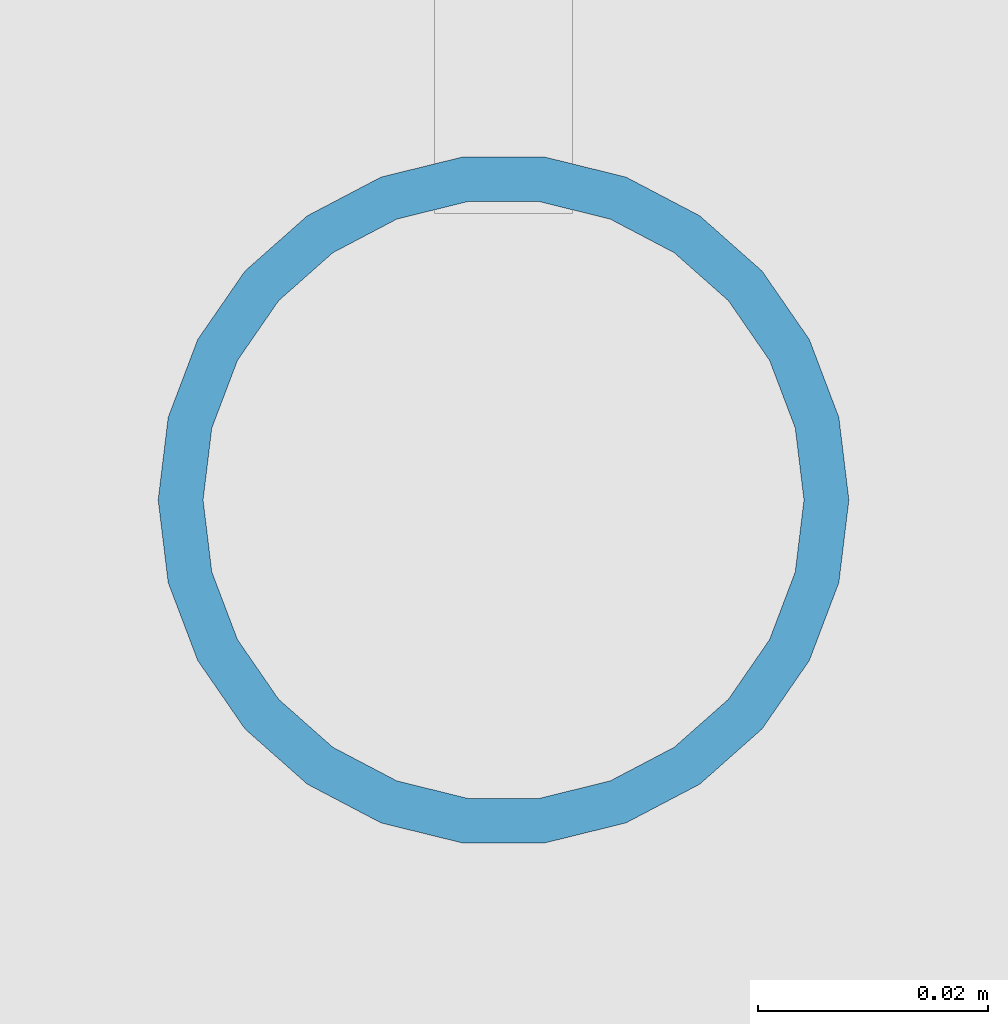
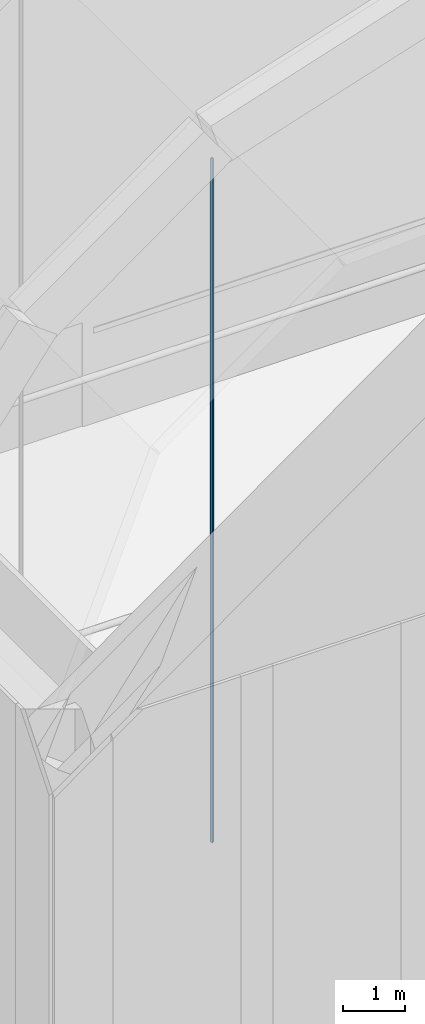
# One storey, part 7 of 55: 1 member.
"""IFC4 building model written with IfcOpenShell, lengths in metres."""

from ifc_helpers import new_model, si_unit, direction, frame, origin, origin_2d, place, context, subcontext, project, spatial, hollow_circle, extrude, material, material_profile, profile_set, type_object, element, save


model = new_model("IFC4")

# Units and contexts
model_context = context("Model", 3, precision=1e-05, world=origin(), true_north=direction((0.0, 1.0)))
body_context = subcontext(model_context, "Body", "Model", "MODEL_VIEW")
ifc_project = project(units=[si_unit("LENGTHUNIT", "METRE"), si_unit("AREAUNIT", "SQUARE_METRE"), si_unit("VOLUMEUNIT", "CUBIC_METRE"), si_unit("PLANEANGLEUNIT", "RADIAN"), si_unit("MASSUNIT", "GRAM", prefix="KILO")], contexts=[model_context])

# Site, building, storey
site_placement = place(None, origin())
site = spatial("IfcSite", under=ifc_project, at=site_placement, CompositionType="ELEMENT")
building_placement = place(site_placement, origin())
building = spatial("IfcBuilding", under=site, at=building_placement, Name="Lunette Opera House", CompositionType="ELEMENT")
storey_placement = place(building_placement, frame((0.0, 0.0, 34.0)))
storey = spatial("IfcBuildingStorey", under=building, at=storey_placement, Name="L06", CompositionType="ELEMENT", Elevation=34.0)

# Member
ifc_material = material(Name="Steel S355", Category="steel")
ifc_material_profile = material_profile(ifc_material, hollow_circle(Radius=0.030029296875, WallThickness=0.00390625, at=origin_2d()), Name="CHS 60.3X4")
ifc_profile_set = profile_set([ifc_material_profile], Name="Steel S355")
member_type = type_object("IfcMemberType", Name="CHS 60.3X4", PredefinedType="POST", material=ifc_profile_set)
member_placement = place(storey_placement, frame((90.0, 101.800048828125, 4.030029296875), z_axis=(0.0, 0.0, 1.0), x_axis=(1.0, 0.0, 0.0)))
element("IfcMember", 1, at=member_placement, inside=storey, type_object=member_type, Name="mem-ST-L06-TH2-90", PredefinedType="POST", context=body_context, shape_type="SweptSolid", body=[
    extrude(hollow_circle(Radius=0.030029296875, WallThickness=0.00390625, at=origin_2d()), origin(), (0.0, 0.0, 1.0), 13.5390625),
])

save(model, "model.ifc")
